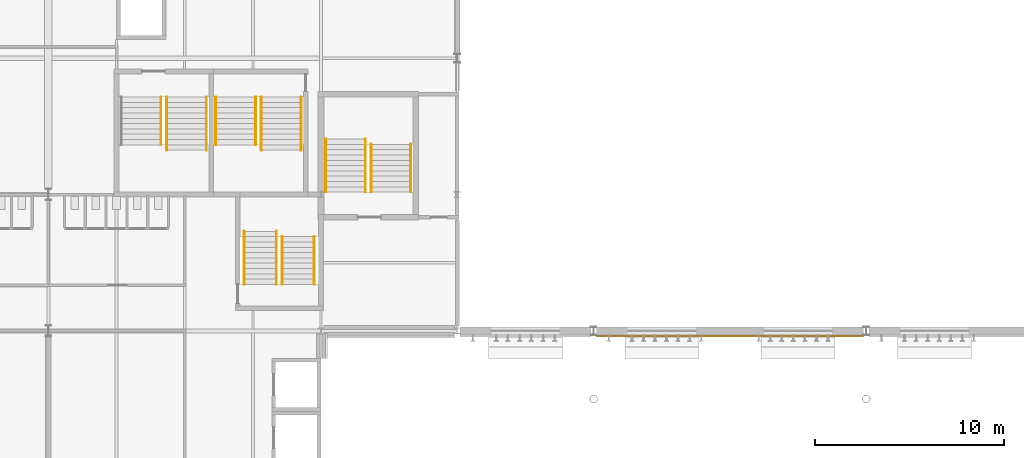
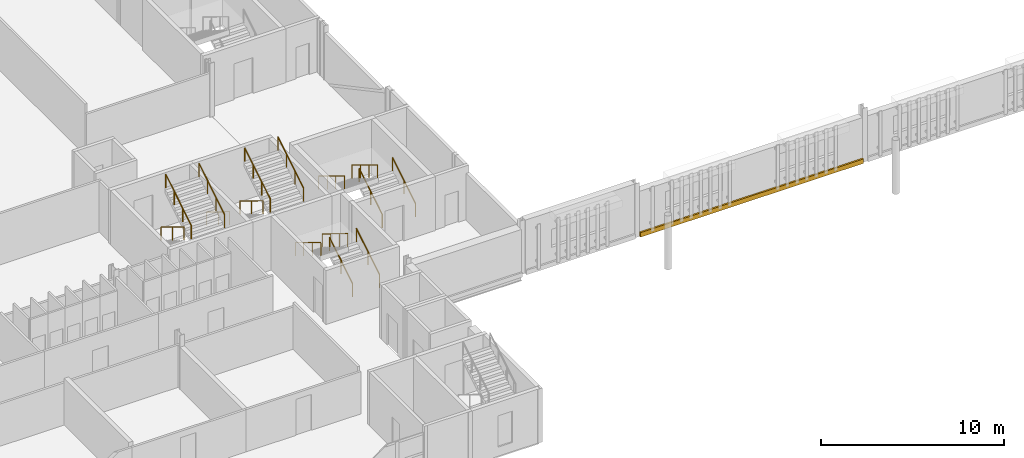
# One storey, part 103 of 124: 15 railings, 1 covering.
"""IFC4 building model written with IfcOpenShell, lengths in metres."""

from ifc_helpers import new_model, si_unit, direction, frame, origin, origin_2d, place, context, subcontext, project, spatial, rectangle, circle, extrude, material, layer, layer_set, type_object, element, save


model = new_model("IFC4")

# Units and contexts
model_context = context("Model", 3, precision=1e-05, world=origin(), true_north=direction((0.0, 1.0)))
body_context = subcontext(model_context, "Body", "Model", "MODEL_VIEW")
ifc_project = project(units=[si_unit("LENGTHUNIT", "METRE"), si_unit("AREAUNIT", "SQUARE_METRE"), si_unit("VOLUMEUNIT", "CUBIC_METRE"), si_unit("PLANEANGLEUNIT", "RADIAN"), si_unit("MASSUNIT", "GRAM", prefix="KILO")], contexts=[model_context])

# Site, building, storey
site_placement = place(None, origin())
site = spatial("IfcSite", under=ifc_project, at=site_placement, CompositionType="ELEMENT")
building_placement = place(site_placement, origin())
building = spatial("IfcBuilding", under=site, at=building_placement, Name="Kupolbacken Congress Centre", CompositionType="ELEMENT")
storey_placement = place(building_placement, frame((0.0, 0.0, 10.800048828125)))
storey = spatial("IfcBuildingStorey", under=building, at=storey_placement, Name="L03", CompositionType="ELEMENT", Elevation=10.800048828125)

# Covering
ifc_material_1 = material(Name="Brick cladding", Category="masonry")
ifc_layer = layer(ifc_material_1, 0.10791015625)
ifc_layer_set = layer_set([ifc_layer], Name="Brick cladding")
covering_type = type_object("IfcCoveringType", Name="CV2 brick cladding band 108", PredefinedType="CLADDING", material=ifc_layer_set)
covering_placement = place(storey_placement, frame((100.800048828125, 42.93603515625, 0.0), z_axis=(0.0, 0.0, 1.0), x_axis=(1.0, 0.0, 0.0)))
element("IfcCovering", 1, at=covering_placement, inside=storey, type_object=covering_type, Name="E/H/S/L03/363/band", PredefinedType="CLADDING", context=body_context, shape_type="SweptSolid", body=[
    extrude(rectangle(XDim=14.10009765625, YDim=0.10791015625, at=origin_2d()), origin(), (0.0, 0.0, 1.0), 0.300048828125),
])

# Railings
ifc_material_2 = material(Name="Steel S235", Category="steel")
railing_type = type_object("IfcRailingType", Name="RL3 handrail wall-mounted 900", PredefinedType="HANDRAIL", material=ifc_material_2)
for number, where, name in (
    (2, (77.14990234375, 45.655029296875, 0.17138671875), "C/stair/FS2E/L03/HR1L"),
    (3, (78.85009765625, 45.655029296875, 0.17138671875), "C/stair/FS2E/L03/HR1R"),
):
    element("IfcRailing", number, at=place(storey_placement, frame(where)), inside=storey, type_object=railing_type, Name=name, PredefinedType="HANDRAIL", context=body_context, shape_type="SweptSolid", body=[
        extrude(circle(Radius=0.02392578125, at=origin_2d()), frame((0.0, 0.0, 0.8759765625), z_axis=(0.0, 0.852836285881, 0.522178388565), x_axis=(-1.0, 0.0, 0.0)), (0.0, 0.0, 1.0), 2.954833984375),
        extrude(circle(Radius=0.02099609375, at=origin_2d()), origin(), (0.0, 0.0, 1.0), 0.851806640625),
        extrude(circle(Radius=0.02099609375, at=origin_2d()), frame((0.0, 1.260009765625, 0.771484375)), (0.0, 0.0, 1.0), 0.851806640625),
        extrude(circle(Radius=0.02099609375, at=origin_2d()), frame((0.0, 2.52001953125, 1.54296875)), (0.0, 0.0, 1.0), 0.851806640625),
    ])
for number, where, name in (
    (4, (76.85009765625, 48.455078125, 1.8857421875), "C/stair/FS2E/L03/HR2L"),
    (5, (75.14990234375, 48.455078125, 1.8857421875), "C/stair/FS2E/L03/HR2R"),
):
    element("IfcRailing", number, at=place(storey_placement, frame(where)), inside=storey, type_object=railing_type, Name=name, PredefinedType="HANDRAIL", context=body_context, shape_type="SweptSolid", body=[
        extrude(circle(Radius=0.02392578125, at=origin_2d()), frame((0.0, 0.0, 0.8759765625), z_axis=(0.0, -0.852879011914, 0.522108600807), x_axis=(1.0, 0.0, 0.0)), (0.0, 0.0, 1.0), 3.282958984375),
        extrude(circle(Radius=0.02099609375, at=origin_2d()), origin(), (0.0, 0.0, 1.0), 0.851806640625),
        extrude(circle(Radius=0.02099609375, at=origin_2d()), frame((0.0, -0.933349609375, 0.5712890625)), (0.0, 0.0, 1.0), 0.851806640625),
        extrude(circle(Radius=0.02099609375, at=origin_2d()), frame((0.0, -1.86669921875, 1.142822265625)), (0.0, 0.0, 1.0), 0.851806640625),
        extrude(circle(Radius=0.02099609375, at=origin_2d()), frame((0.0, -2.800048828125, 1.714111328125)), (0.0, 0.0, 1.0), 0.851806640625),
    ])
railing_placement = place(storey_placement, frame((70.75, 55.544921875, 0.17138671875)))
element("IfcRailing", 6, at=railing_placement, inside=storey, type_object=railing_type, Name="C/stair/PS1SE/L03/HR1L", PredefinedType="HANDRAIL", context=body_context, shape_type="SweptSolid", body=[
    extrude(circle(Radius=0.02392578125, at=origin_2d()), frame((0.0, 0.0, 0.8759765625), z_axis=(0.0, -0.852836285881, 0.522178388565), x_axis=(1.0, 0.0, 0.0)), (0.0, 0.0, 1.0), 2.954833984375),
    extrude(circle(Radius=0.02099609375, at=origin_2d()), origin(), (0.0, 0.0, 1.0), 0.851806640625),
    extrude(circle(Radius=0.02099609375, at=origin_2d()), frame((0.0, -1.260009765625, 0.771484375)), (0.0, 0.0, 1.0), 0.851806640625),
    extrude(circle(Radius=0.02099609375, at=origin_2d()), frame((0.0, -2.52001953125, 1.54296875)), (0.0, 0.0, 1.0), 0.851806640625),
])
for number, where, name in (
    (7, (71.050048828125, 52.7451171875, 1.8857421875), "C/stair/PS1SE/L03/HR2L"),
    (8, (73.14990234375, 52.7451171875, 1.8857421875), "C/stair/PS1SE/L03/HR2R"),
):
    element("IfcRailing", number, at=place(storey_placement, frame(where)), inside=storey, type_object=railing_type, Name=name, PredefinedType="HANDRAIL", context=body_context, shape_type="SweptSolid", body=[
        extrude(circle(Radius=0.02392578125, at=origin_2d()), frame((0.0, 0.0, 0.8759765625), z_axis=(0.0, 0.852858738594, 0.522141716399), x_axis=(-1.0, 0.0, 0.0)), (0.0, 0.0, 1.0), 3.282958984375),
        extrude(circle(Radius=0.02099609375, at=origin_2d()), origin(), (0.0, 0.0, 1.0), 0.851806640625),
        extrude(circle(Radius=0.02099609375, at=origin_2d()), frame((0.0, 0.933349609375, 0.5712890625)), (0.0, 0.0, 1.0), 0.851806640625),
        extrude(circle(Radius=0.02099609375, at=origin_2d()), frame((0.0, 1.866455078125, 1.142822265625)), (0.0, 0.0, 1.0), 0.851806640625),
        extrude(circle(Radius=0.02099609375, at=origin_2d()), frame((0.0, 2.7998046875, 1.714111328125)), (0.0, 0.0, 1.0), 0.851806640625),
    ])
for number, where, name in (
    (9, (75.75, 55.544921875, 0.17138671875), "C/stair/PS2SE/L03/HR1L"),
    (10, (73.64990234375, 55.544921875, 0.17138671875), "C/stair/PS2SE/L03/HR1R"),
):
    element("IfcRailing", number, at=place(storey_placement, frame(where)), inside=storey, type_object=railing_type, Name=name, PredefinedType="HANDRAIL", context=body_context, shape_type="SweptSolid", body=[
        extrude(circle(Radius=0.02392578125, at=origin_2d()), frame((0.0, 0.0, 0.8759765625), z_axis=(0.0, -0.852836285881, 0.522178388565), x_axis=(1.0, 0.0, 0.0)), (0.0, 0.0, 1.0), 2.954833984375),
        extrude(circle(Radius=0.02099609375, at=origin_2d()), origin(), (0.0, 0.0, 1.0), 0.851806640625),
        extrude(circle(Radius=0.02099609375, at=origin_2d()), frame((0.0, -1.260009765625, 0.771484375)), (0.0, 0.0, 1.0), 0.851806640625),
        extrude(circle(Radius=0.02099609375, at=origin_2d()), frame((0.0, -2.52001953125, 1.54296875)), (0.0, 0.0, 1.0), 0.851806640625),
    ])
for number, where, name in (
    (11, (76.050048828125, 52.7451171875, 1.8857421875), "C/stair/PS2SE/L03/HR2L"),
    (12, (78.14990234375, 52.7451171875, 1.8857421875), "C/stair/PS2SE/L03/HR2R"),
):
    element("IfcRailing", number, at=place(storey_placement, frame(where)), inside=storey, type_object=railing_type, Name=name, PredefinedType="HANDRAIL", context=body_context, shape_type="SweptSolid", body=[
        extrude(circle(Radius=0.02392578125, at=origin_2d()), frame((0.0, 0.0, 0.8759765625), z_axis=(0.0, 0.852858738594, 0.522141716399), x_axis=(-1.0, 0.0, 0.0)), (0.0, 0.0, 1.0), 3.282958984375),
        extrude(circle(Radius=0.02099609375, at=origin_2d()), origin(), (0.0, 0.0, 1.0), 0.851806640625),
        extrude(circle(Radius=0.02099609375, at=origin_2d()), frame((0.0, 0.933349609375, 0.5712890625)), (0.0, 0.0, 1.0), 0.851806640625),
        extrude(circle(Radius=0.02099609375, at=origin_2d()), frame((0.0, 1.866455078125, 1.142822265625)), (0.0, 0.0, 1.0), 0.851806640625),
        extrude(circle(Radius=0.02099609375, at=origin_2d()), frame((0.0, 2.7998046875, 1.714111328125)), (0.0, 0.0, 1.0), 0.851806640625),
    ])
for number, where, name in (
    (13, (81.85009765625, 50.530029296875, 0.17138671875), "C/stair/LS1/L03/HR1L"),
    (14, (83.949951171875, 50.530029296875, 0.17138671875), "C/stair/LS1/L03/HR1R"),
):
    element("IfcRailing", number, at=place(storey_placement, frame(where)), inside=storey, type_object=railing_type, Name=name, PredefinedType="HANDRAIL", context=body_context, shape_type="SweptSolid", body=[
        extrude(circle(Radius=0.02392578125, at=origin_2d()), frame((0.0, 0.0, 0.8759765625), z_axis=(0.0, 0.852836285881, 0.522178388565), x_axis=(-1.0, 0.0, 0.0)), (0.0, 0.0, 1.0), 2.954833984375),
        extrude(circle(Radius=0.02099609375, at=origin_2d()), origin(), (0.0, 0.0, 1.0), 0.851806640625),
        extrude(circle(Radius=0.02099609375, at=origin_2d()), frame((0.0, 1.260009765625, 0.771484375)), (0.0, 0.0, 1.0), 0.851806640625),
        extrude(circle(Radius=0.02099609375, at=origin_2d()), frame((0.0, 2.52001953125, 1.54296875)), (0.0, 0.0, 1.0), 0.851806640625),
    ])
for number, where, name in (
    (15, (81.550048828125, 53.330078125, 1.8857421875), "C/stair/LS1/L03/HR2L"),
    (16, (79.449951171875, 53.330078125, 1.8857421875), "C/stair/LS1/L03/HR2R"),
):
    element("IfcRailing", number, at=place(storey_placement, frame(where)), inside=storey, type_object=railing_type, Name=name, PredefinedType="HANDRAIL", context=body_context, shape_type="SweptSolid", body=[
        extrude(circle(Radius=0.02392578125, at=origin_2d()), frame((0.0, 0.0, 0.8759765625), z_axis=(0.0, -0.852879011914, 0.522108600807), x_axis=(1.0, 0.0, 0.0)), (0.0, 0.0, 1.0), 3.282958984375),
        extrude(circle(Radius=0.02099609375, at=origin_2d()), origin(), (0.0, 0.0, 1.0), 0.851806640625),
        extrude(circle(Radius=0.02099609375, at=origin_2d()), frame((0.0, -0.933349609375, 0.5712890625)), (0.0, 0.0, 1.0), 0.851806640625),
        extrude(circle(Radius=0.02099609375, at=origin_2d()), frame((0.0, -1.86669921875, 1.142822265625)), (0.0, 0.0, 1.0), 0.851806640625),
        extrude(circle(Radius=0.02099609375, at=origin_2d()), frame((0.0, -2.800048828125, 1.714111328125)), (0.0, 0.0, 1.0), 0.851806640625),
    ])

save(model, "model.ifc")
